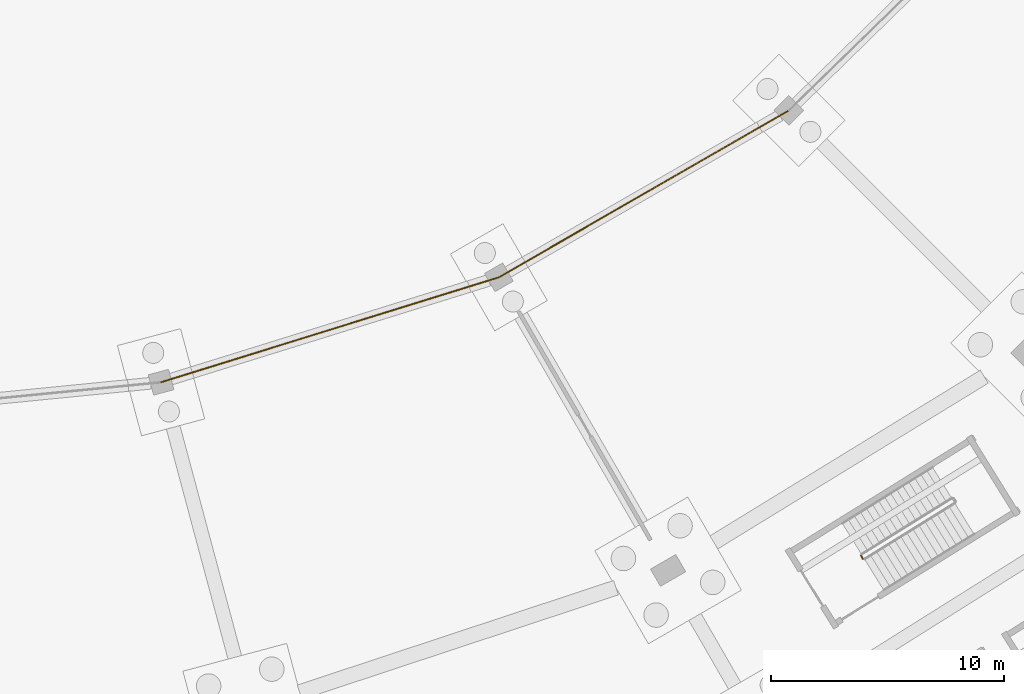
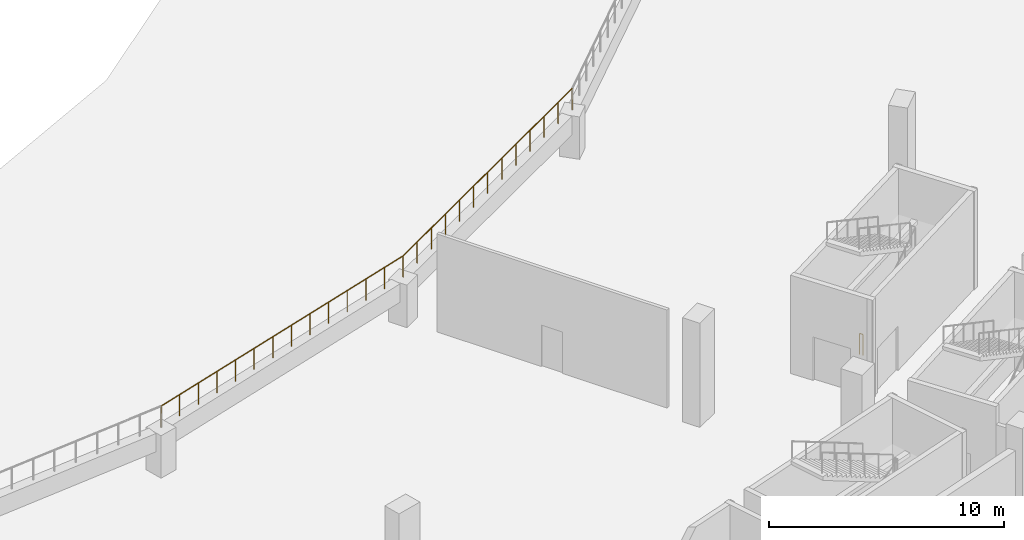
# One storey, part 73 of 103: 3 railings.
"""IFC4 building model written with IfcOpenShell, lengths in metres."""

from ifc_helpers import new_model, si_unit, direction, frame, origin, origin_2d, place, context, subcontext, project, spatial, circle, extrude, material, type_object, element, save


model = new_model("IFC4")

# Units and contexts
model_context = context("Model", 3, precision=1e-05, world=origin(), true_north=direction((0.0, 1.0)))
body_context = subcontext(model_context, "Body", "Model", "MODEL_VIEW")
ifc_project = project(units=[si_unit("LENGTHUNIT", "METRE"), si_unit("AREAUNIT", "SQUARE_METRE"), si_unit("VOLUMEUNIT", "CUBIC_METRE"), si_unit("PLANEANGLEUNIT", "RADIAN"), si_unit("MASSUNIT", "GRAM", prefix="KILO")], contexts=[model_context])

# Site, building, storey
site_placement = place(None, origin())
site = spatial("IfcSite", under=ifc_project, at=site_placement, CompositionType="ELEMENT")
building_placement = place(site_placement, origin())
building = spatial("IfcBuilding", under=site, at=building_placement, Name="Zevraka Park Crest Stadium", CompositionType="ELEMENT")
storey_placement = place(building_placement, origin())
storey = spatial("IfcBuildingStorey", under=building, at=storey_placement, Name="L00", CompositionType="ELEMENT", Elevation=0.0)

# Railings
ifc_material_1 = material(Name="Laminated glass and stainless steel sightline bowl guard", Category="steel")
railing_type_1 = type_object("IfcRailingType", Name="GR02", PredefinedType="GUARDRAIL", material=ifc_material_1)
railing_1_placement = place(storey_placement, frame((127.529052734375, 48.532958984375, 2.199951171875)))
element("IfcRailing", 1, at=railing_1_placement, inside=storey, type_object=railing_type_1, Name="Lower Tier Pitch Sightline Guard GR02 19", PredefinedType="GUARDRAIL", context=body_context, shape_type="SweptSolid", body=[
    extrude(circle(Radius=0.02392578125, at=origin_2d()), frame((0.0, 0.0, 1.09619140625), z_axis=(0.954968624849, 0.296706800655, 0.0), x_axis=(-0.296706800655, 0.954968624849, 0.0)), (0.0, 0.0, 1.0), 15.1533203125),
    extrude(circle(Radius=0.02099609375, at=origin_2d()), origin(), (0.0, 0.0, 1.0), 1.072021484375),
    extrude(circle(Radius=0.02099609375, at=origin_2d()), frame((1.113037109375, 0.345947265625, 0.0)), (0.0, 0.0, 1.0), 1.072021484375),
    extrude(circle(Radius=0.02099609375, at=origin_2d()), frame((2.226318359375, 0.691650390625, 0.0)), (0.0, 0.0, 1.0), 1.072021484375),
    extrude(circle(Radius=0.02099609375, at=origin_2d()), frame((3.33935546875, 1.03759765625, 0.0)), (0.0, 0.0, 1.0), 1.072021484375),
    extrude(circle(Radius=0.02099609375, at=origin_2d()), frame((4.45263671875, 1.38330078125, 0.0)), (0.0, 0.0, 1.0), 1.072021484375),
    extrude(circle(Radius=0.02099609375, at=origin_2d()), frame((5.565673828125, 1.729248046875, 0.0)), (0.0, 0.0, 1.0), 1.072021484375),
    extrude(circle(Radius=0.02099609375, at=origin_2d()), frame((6.678955078125, 2.0751953125, 0.0)), (0.0, 0.0, 1.0), 1.072021484375),
    extrude(circle(Radius=0.02099609375, at=origin_2d()), frame((7.7919921875, 2.4208984375, 0.0)), (0.0, 0.0, 1.0), 1.072021484375),
    extrude(circle(Radius=0.02099609375, at=origin_2d()), frame((8.9052734375, 2.766845703125, 0.0)), (0.0, 0.0, 1.0), 1.072021484375),
    extrude(circle(Radius=0.02099609375, at=origin_2d()), frame((10.018310546875, 3.11279296875, 0.0)), (0.0, 0.0, 1.0), 1.072021484375),
    extrude(circle(Radius=0.02099609375, at=origin_2d()), frame((11.131591796875, 3.45849609375, 0.0)), (0.0, 0.0, 1.0), 1.072021484375),
    extrude(circle(Radius=0.02099609375, at=origin_2d()), frame((12.24462890625, 3.804443359375, 0.0)), (0.0, 0.0, 1.0), 1.072021484375),
    extrude(circle(Radius=0.02099609375, at=origin_2d()), frame((13.35791015625, 4.150146484375, 0.0)), (0.0, 0.0, 1.0), 1.072021484375),
    extrude(circle(Radius=0.02099609375, at=origin_2d()), frame((14.470947265625, 4.49609375, 0.0)), (0.0, 0.0, 1.0), 1.072021484375),
])
railing_2_placement = place(storey_placement, frame((142.0, 53.029052734375, 2.199951171875)))
element("IfcRailing", 2, at=railing_2_placement, inside=storey, type_object=railing_type_1, Name="Lower Tier Pitch Sightline Guard GR02 20", PredefinedType="GUARDRAIL", context=body_context, shape_type="SweptSolid", body=[
    extrude(circle(Radius=0.02392578125, at=origin_2d()), frame((0.0, 0.0, 1.09619140625), z_axis=(0.866727982415, 0.498781118827, 0.0), x_axis=(-0.498781118827, 0.866727982415, 0.0)), (0.0, 0.0, 1.0), 14.336669921875),
    extrude(circle(Radius=0.02099609375, at=origin_2d()), origin(), (0.0, 0.0, 1.0), 1.072021484375),
    extrude(circle(Radius=0.02099609375, at=origin_2d()), frame((1.035400390625, 0.595947265625, 0.0)), (0.0, 0.0, 1.0), 1.072021484375),
    extrude(circle(Radius=0.02099609375, at=origin_2d()), frame((2.071044921875, 1.19189453125, 0.0)), (0.0, 0.0, 1.0), 1.072021484375),
    extrude(circle(Radius=0.02099609375, at=origin_2d()), frame((3.1064453125, 1.78759765625, 0.0)), (0.0, 0.0, 1.0), 1.072021484375),
    extrude(circle(Radius=0.02099609375, at=origin_2d()), frame((4.14208984375, 2.383544921875, 0.0)), (0.0, 0.0, 1.0), 1.072021484375),
    extrude(circle(Radius=0.02099609375, at=origin_2d()), frame((5.177490234375, 2.9794921875, 0.0)), (0.0, 0.0, 1.0), 1.072021484375),
    extrude(circle(Radius=0.02099609375, at=origin_2d()), frame((6.212890625, 3.575439453125, 0.0)), (0.0, 0.0, 1.0), 1.072021484375),
    extrude(circle(Radius=0.02099609375, at=origin_2d()), frame((7.24853515625, 4.17138671875, 0.0)), (0.0, 0.0, 1.0), 1.072021484375),
    extrude(circle(Radius=0.02099609375, at=origin_2d()), frame((8.283935546875, 4.767333984375, 0.0)), (0.0, 0.0, 1.0), 1.072021484375),
    extrude(circle(Radius=0.02099609375, at=origin_2d()), frame((9.319580078125, 5.36328125, 0.0)), (0.0, 0.0, 1.0), 1.072021484375),
    extrude(circle(Radius=0.02099609375, at=origin_2d()), frame((10.35498046875, 5.958984375, 0.0)), (0.0, 0.0, 1.0), 1.072021484375),
    extrude(circle(Radius=0.02099609375, at=origin_2d()), frame((11.390625, 6.554931640625, 0.0)), (0.0, 0.0, 1.0), 1.072021484375),
    extrude(circle(Radius=0.02099609375, at=origin_2d()), frame((12.426025390625, 7.15087890625, 0.0)), (0.0, 0.0, 1.0), 1.072021484375),
])
ifc_material_2 = material(Name="Powder-coated tubular steel stairwell guard", Category="steel")
railing_type_2 = type_object("IfcRailingType", Name="GR03", PredefinedType="GUARDRAIL", material=ifc_material_2)
railing_3_placement = place(storey_placement, frame((157.59716796875, 40.968505859375, 0.0)))
element("IfcRailing", 3, at=railing_3_placement, inside=storey, type_object=railing_type_2, Name="L00 ST43 stair guard 4", PredefinedType="GUARDRAIL", context=body_context, shape_type="SweptSolid", body=[
    extrude(circle(Radius=0.02392578125, at=origin_2d()), frame((0.0, 0.0, 1.076171875), z_axis=(-0.526564774069, 0.850135012048, 0.0), x_axis=(-0.850135012048, -0.526564774069, 0.0)), (0.0, 0.0, 1.0), 0.159912109375),
    extrude(circle(Radius=0.02099609375, at=origin_2d()), origin(), (0.0, 0.0, 1.0), 1.052001953125),
    extrude(circle(Radius=0.02099609375, at=origin_2d()), frame((-0.084228515625, 0.135986328125, 0.0)), (0.0, 0.0, 1.0), 1.052001953125),
])

save(model, "model.ifc")
